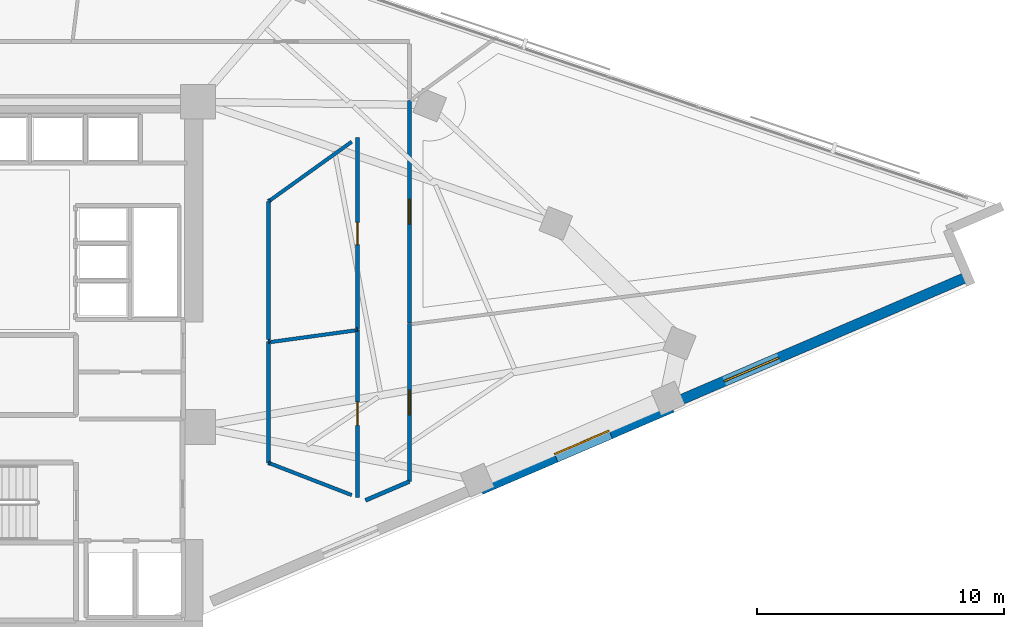
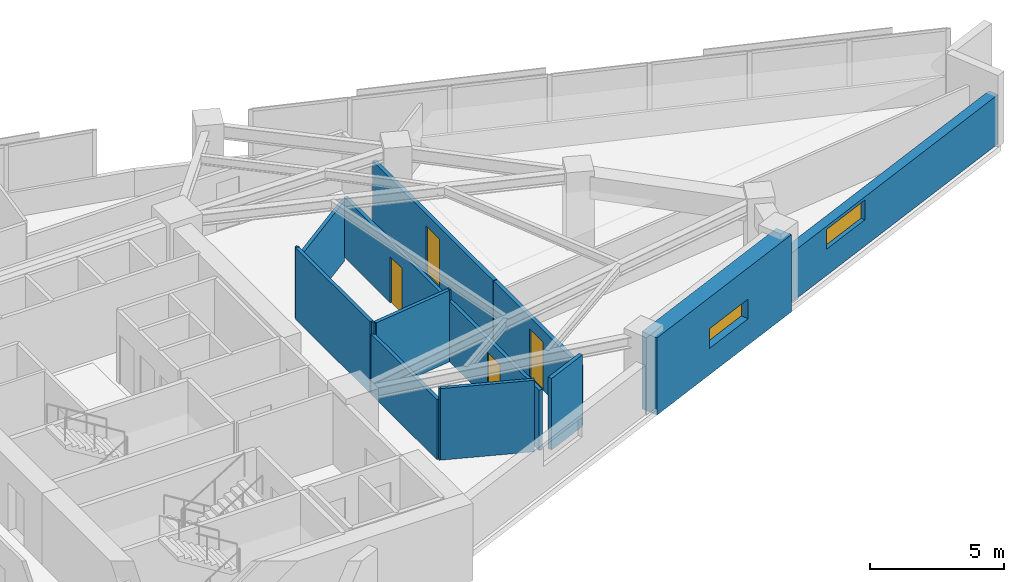
# One storey, part 11 of 14: 16 walls, 4 doors, 2 windows, 6 openings.
"""IFC4 building model written with IfcOpenShell, lengths in metres."""

from ifc_helpers import new_model, si_unit, direction, frame, frame_2d, origin, place, context, subcontext, project, spatial, rectangle, extrude, material, layer, layer_set, type_object, element, fill, save


model = new_model("IFC4")

# Units and contexts
model_context = context("Model", 3, precision=1e-05, world=origin(), true_north=direction((0.0, 1.0)))
body_context = subcontext(model_context, "Body", "Model", "MODEL_VIEW")
ifc_project = project(units=[si_unit("LENGTHUNIT", "METRE"), si_unit("AREAUNIT", "SQUARE_METRE"), si_unit("VOLUMEUNIT", "CUBIC_METRE"), si_unit("PLANEANGLEUNIT", "RADIAN"), si_unit("MASSUNIT", "GRAM", prefix="KILO")], contexts=[model_context])

# Site, building, storey
site_placement = place(None, origin())
site = spatial("IfcSite", under=ifc_project, at=site_placement, CompositionType="ELEMENT")
building_placement = place(site_placement, origin())
building = spatial("IfcBuilding", under=site, at=building_placement, Name="Narakoshi Arena Tower", CompositionType="ELEMENT")
storey_placement = place(building_placement, frame((0.0, 0.0, 189.659912109375)))
storey = spatial("IfcBuildingStorey", under=building, at=storey_placement, Name="L51", CompositionType="ELEMENT", Elevation=189.659912109375)

# Wall, opening, door
ifc_material_1 = material(Name="Gypsum plasterboard fire-rated partition")
ifc_layer_1 = layer(ifc_material_1, 0.1650390625)
ifc_layer_set_1 = layer_set([ifc_layer_1], Name="Gypsum plasterboard fire-rated partition")
wall_type_1 = type_object("IfcWallType", Name="WL-CORR-165", PredefinedType="PARTITIONING", material=ifc_layer_set_1)
wall_1_placement = place(storey_placement, frame((94.09619140625, 41.146484375, 0.0), z_axis=(0.0, 0.0, 1.0), x_axis=(0.0, 1.0, 0.0)))
wall_1 = element("IfcWall", 1, at=wall_1_placement, inside=storey, type_object=wall_type_1, Name="L51 Corridor Partition 03-1", PredefinedType="PARTITIONING", context=body_context, shape_type="SweptSolid", body=[
    extrude(rectangle(XDim=6.38720703125, YDim=0.1650390625, at=frame_2d((3.193603515625, 0.0))), origin(), (0.0, 0.0, 1.0), 2.7451171875),
])
opening_1_placement = place(wall_1_placement, frame((2.693603515625, 0.0, 0.0)))
opening_1 = element("IfcOpeningElement", 2, at=opening_1_placement, cuts=wall_1, Name="Opening D-06", PredefinedType="OPENING", context=body_context, shape_type="SweptSolid", body=[
    extrude(rectangle(XDim=1.0, YDim=2.199951171875, at=frame_2d((0.5, 1.10009765625))), frame((0.0, 0.092529296875, 0.0), z_axis=(0.0, -1.0, 0.0), x_axis=(1.0, 0.0, 0.0)), (0.0, 0.0, 1.0), 0.18505859375),
])
ifc_material_2 = material(Name="Stained oak solid-core timber", Category="wood")
door_type_1 = type_object("IfcDoorType", Name="DR-OFF-1000", OperationType="NOTDEFINED", PredefinedType="DOOR", material=ifc_material_2)
door_1_placement = place(opening_1_placement, frame((1.0, 0.0, 0.0), z_axis=(0.0, 0.0, 1.0), x_axis=(-1.0, 0.0, 0.0)))
door_1 = element("IfcDoor", 3, at=door_1_placement, inside=storey, type_object=door_type_1, Name="DR-L51-016", OperationType="SINGLE_SWING_LEFT", OverallHeight=2.199951171875, OverallWidth=1.0, PredefinedType="DOOR", context=body_context, shape_type="SweptSolid", body=[
    extrude(rectangle(XDim=1.0, YDim=2.199951171875, at=frame_2d((0.5, 1.10009765625))), frame((0.0, 0.02490234375, 0.0), z_axis=(0.0, -1.0, 0.0), x_axis=(1.0, 0.0, 0.0)), (0.0, 0.0, 1.0), 0.050048828125),
])
fill(opening_1, door_1)

# Wall
wall_2_placement = place(storey_placement, frame((92.318603515625, 40.3828125, 0.0), z_axis=(0.0, 0.0, 1.0), x_axis=(0.918798737408, 0.394726335752, 0.0)))
element("IfcWall", 4, at=wall_2_placement, inside=storey, type_object=wall_type_1, Name="L51 Corridor Partition 03-2", PredefinedType="PARTITIONING", context=body_context, shape_type="SweptSolid", body=[
    extrude(rectangle(XDim=1.9345703125, YDim=0.1650390625, at=frame_2d((0.96728515625, 0.0))), origin(), (0.0, 0.0, 1.0), 3.260009765625),
])

# Wall, opening, door
wall_3_placement = place(storey_placement, frame((94.09619140625, 47.55810546875, 0.0), z_axis=(0.0, 0.0, 1.0), x_axis=(0.0, 1.0, 0.0)))
wall_3 = element("IfcWall", 5, at=wall_3_placement, inside=storey, type_object=wall_type_1, Name="L51 Corridor Partition 04-1", PredefinedType="PARTITIONING", context=body_context, shape_type="SweptSolid", body=[
    extrude(rectangle(XDim=8.998291015625, YDim=0.1650390625, at=frame_2d((4.4990234375, 0.0))), origin(), (0.0, 0.0, 1.0), 2.7451171875),
])
opening_2_placement = place(wall_3_placement, frame((3.999267578125, 0.0, 0.0)))
opening_2 = element("IfcOpeningElement", 6, at=opening_2_placement, cuts=wall_3, Name="Opening D-06", PredefinedType="OPENING", context=body_context, shape_type="SweptSolid", body=[
    extrude(rectangle(XDim=1.0, YDim=2.199951171875, at=frame_2d((0.5, 1.10009765625))), frame((0.0, 0.092529296875, 0.0), z_axis=(0.0, -1.0, 0.0), x_axis=(1.0, 0.0, 0.0)), (0.0, 0.0, 1.0), 0.18505859375),
])
door_2_placement = place(opening_2_placement, frame((1.0, 0.0, 0.0), z_axis=(0.0, 0.0, 1.0), x_axis=(-1.0, 0.0, 0.0)))
door_2 = element("IfcDoor", 7, at=door_2_placement, inside=storey, type_object=door_type_1, Name="DR-L51-017", OperationType="SINGLE_SWING_RIGHT", OverallHeight=2.199951171875, OverallWidth=1.0, PredefinedType="DOOR", context=body_context, shape_type="SweptSolid", body=[
    extrude(rectangle(XDim=1.0, YDim=2.199951171875, at=frame_2d((0.5, 1.10009765625))), frame((0.0, 0.02490234375, 0.0), z_axis=(0.0, -1.0, 0.0), x_axis=(1.0, 0.0, 0.0)), (0.0, 0.0, 1.0), 0.050048828125),
])
fill(opening_2, door_2)

# Wall, opening, window
ifc_material_3 = material(Name="Concrete C60/75", Category="concrete")
ifc_layer_2 = layer(ifc_material_3, 0.699951171875)
ifc_layer_set_2 = layer_set([ifc_layer_2], Name="Concrete C60/75")
wall_type_2 = type_object("IfcWallType", Name="WL-LEG-700", PredefinedType="SHEAR", material=ifc_layer_set_2)
wall_4_placement = place(storey_placement, frame((96.936767578125, 40.951904296875, -0.260009765625), z_axis=(0.0, 0.0, 1.0), x_axis=(0.918782407933, 0.394764343468, 0.0)))
wall_4 = element("IfcWall", 8, at=wall_4_placement, inside=storey, type_object=wall_type_2, Name="L51 Architectural Concrete Structural Wall LEGA-3", PredefinedType="SHEAR", context=body_context, shape_type="SweptSolid", body=[
    extrude(rectangle(XDim=8.401611328125, YDim=0.699951171875, at=frame_2d((4.20068359375, 0.0))), origin(), (0.0, 0.0, 1.0), 3.52001953125),
])
opening_3_placement = place(wall_4_placement, frame((3.2939453125, 0.0, 1.199951171875)))
opening_3 = element("IfcOpeningElement", 9, at=opening_3_placement, cuts=wall_4, Name="Opening WN-01", PredefinedType="OPENING", context=body_context, shape_type="SweptSolid", body=[
    extrude(rectangle(XDim=2.39990234375, YDim=0.89990234375, at=frame_2d((1.199951171875, 0.449951171875))), frame((0.0, 0.35986328125, 0.0), z_axis=(0.0, -1.0, 0.0), x_axis=(1.0, 0.0, 0.0)), (0.0, 0.0, 1.0), 0.719970703125),
])
ifc_material_4 = material(Name="Bronze-tinted low-E laminated glass", Category="glass")
window_type = type_object("IfcWindowType", Name="WIN-SLT-24x09", PartitioningType="SINGLE_PANEL", PredefinedType="WINDOW", material=ifc_material_4)
window_1_placement = place(opening_3_placement, origin())
window_1 = element("IfcWindow", 10, at=window_1_placement, inside=storey, type_object=window_type, Name="L51 LEGA3 Horizontal Slot Window 1", OverallHeight=0.89990234375, OverallWidth=2.39990234375, PartitioningType="SINGLE_PANEL", PredefinedType="WINDOW", context=body_context, shape_type="SweptSolid", body=[
    extrude(rectangle(XDim=2.39990234375, YDim=0.89990234375, at=frame_2d((1.199951171875, 0.449951171875))), frame((0.0, 0.030029296875, 0.0), z_axis=(0.0, -1.0, 0.0), x_axis=(1.0, 0.0, 0.0)), (0.0, 0.0, 1.0), 0.06005859375),
])
fill(opening_3, window_1)

ifc_material_5 = material(Name="Precast concrete C45/55", Category="concrete")
ifc_layer_3 = layer(ifc_material_5, 0.419921875)
ifc_layer_set_3 = layer_set([ifc_layer_3], Name="Precast concrete C45/55")
wall_type_3 = type_object("IfcWallType", Name="WL-POD-420", PredefinedType="SOLIDWALL", material=ifc_layer_set_3)
wall_5_placement = place(storey_placement, frame((104.656005859375, 44.2685546875, 0.0), z_axis=(0.0, 0.0, 1.0), x_axis=(0.918789071809, 0.394748833467, 0.0)))
wall_5 = element("IfcWall", 11, at=wall_5_placement, inside=storey, type_object=wall_type_3, Name="L51 Architectural Concrete Facade Wall LEGA-4", PredefinedType="SOLIDWALL", context=body_context, shape_type="SweptSolid", body=[
    extrude(rectangle(XDim=13.06884765625, YDim=0.419921875, at=frame_2d((6.534423828125, 0.0))), origin(), (0.0, 0.0, 1.0), 2.2451171875),
])
opening_4_placement = place(wall_5_placement, frame((2.362060546875, 0.0, 1.199951171875)))
opening_4 = element("IfcOpeningElement", 12, at=opening_4_placement, cuts=wall_5, Name="Opening WN-01", PredefinedType="OPENING", context=body_context, shape_type="SweptSolid", body=[
    extrude(rectangle(XDim=2.39990234375, YDim=0.89990234375, at=frame_2d((1.199951171875, 0.449951171875))), frame((0.0, 0.219970703125, 0.0), z_axis=(0.0, -1.0, 0.0), x_axis=(1.0, 0.0, 0.0)), (0.0, 0.0, 1.0), 0.43994140625),
])
window_2_placement = place(opening_4_placement, origin())
window_2 = element("IfcWindow", 13, at=window_2_placement, inside=storey, type_object=window_type, Name="L51 LEGA4 Horizontal Slot Window 1", OverallHeight=0.89990234375, OverallWidth=2.39990234375, PartitioningType="SINGLE_PANEL", PredefinedType="WINDOW", context=body_context, shape_type="SweptSolid", body=[
    extrude(rectangle(XDim=2.39990234375, YDim=0.89990234375, at=frame_2d((1.199951171875, 0.449951171875))), frame((0.0, 0.030029296875, 0.0), z_axis=(0.0, -1.0, 0.0), x_axis=(1.0, 0.0, 0.0)), (0.0, 0.0, 1.0), 0.06005859375),
])
fill(opening_4, window_2)

# Wall, opening, door
ifc_material_6 = material(Name="Moisture-resistant cement-board partition")
ifc_layer_4 = layer(ifc_material_6, 0.14501953125)
ifc_layer_set_4 = layer_set([ifc_layer_4], Name="Moisture-resistant cement-board partition")
wall_type_4 = type_object("IfcWallType", Name="WL-WET-145", PredefinedType="PARTITIONING", material=ifc_layer_set_4)
wall_6_placement = place(storey_placement, frame((91.996337890625, 47.2666015625, 0.0), z_axis=(0.0, 0.0, 1.0), x_axis=(0.0, -1.0, 0.0)))
wall_6 = element("IfcWall", 14, at=wall_6_placement, inside=storey, type_object=wall_type_4, Name="L51 Corridor Partition 02-1", PredefinedType="PARTITIONING", context=body_context, shape_type="SweptSolid", body=[
    extrude(rectangle(XDim=6.759033203125, YDim=0.14501953125, at=frame_2d((3.37939453125, 0.0))), origin(), (0.0, 0.0, 1.0), 2.7451171875),
])
opening_5_placement = place(wall_6_placement, frame((2.904541015625, 0.0, 0.0)))
opening_5 = element("IfcOpeningElement", 15, at=opening_5_placement, cuts=wall_6, Name="Opening D-07", PredefinedType="OPENING", context=body_context, shape_type="SweptSolid", body=[
    extrude(rectangle(XDim=0.949951171875, YDim=2.14990234375, at=frame_2d((0.47509765625, 1.074951171875))), frame((0.0, 0.08251953125, 0.0), z_axis=(0.0, -1.0, 0.0), x_axis=(1.0, 0.0, 0.0)), (0.0, 0.0, 1.0), 0.1650390625),
])
door_type_2 = type_object("IfcDoorType", Name="DR-ACC-950", OperationType="NOTDEFINED", PredefinedType="DOOR", material=ifc_material_2)
door_3_placement = place(opening_5_placement, frame((0.949951171875, 0.0, 0.0), z_axis=(0.0, 0.0, 1.0), x_axis=(-1.0, 0.0, 0.0)))
door_3 = element("IfcDoor", 16, at=door_3_placement, inside=storey, type_object=door_type_2, Name="DR-L51-015", OperationType="SINGLE_SWING_RIGHT", OverallHeight=2.14990234375, OverallWidth=0.949951171875, PredefinedType="DOOR", context=body_context, shape_type="SweptSolid", body=[
    extrude(rectangle(XDim=0.949951171875, YDim=2.14990234375, at=frame_2d((0.47509765625, 1.074951171875))), frame((0.0, 0.02490234375, 0.0), z_axis=(0.0, -1.0, 0.0), x_axis=(1.0, 0.0, 0.0)), (0.0, 0.0, 1.0), 0.050048828125),
])
fill(opening_5, door_3)

# Walls
wall_7_placement = place(storey_placement, frame((88.39990234375, 41.89892578125, 0.0), z_axis=(0.0, 0.0, 1.0), x_axis=(0.0, 1.0, 0.0)))
element("IfcWall", 17, at=wall_7_placement, inside=storey, type_object=wall_type_4, Name="L51 Corridor Partition 02-2", PredefinedType="PARTITIONING", context=body_context, shape_type="SweptSolid", body=[
    extrude(rectangle(XDim=4.91015625, YDim=0.14501953125, at=frame_2d((2.455078125, 0.0))), origin(), (0.0, 0.0, 1.0), 2.7451171875),
])
wall_8_placement = place(storey_placement, frame((88.4599609375, 41.875732421875, 0.0), z_axis=(0.0, 0.0, 1.0), x_axis=(-0.932856069012, 0.360249294944, 0.0)))
element("IfcWall", 18, at=wall_8_placement, inside=storey, type_object=wall_type_4, Name="L51 Corridor Partition 02-3", PredefinedType="PARTITIONING", context=body_context, shape_type="SweptSolid", body=[
    extrude(rectangle(XDim=0.064453125, YDim=0.14501953125, at=frame_2d((0.0322265625, 0.0))), origin(), (0.0, 0.0, 1.0), 3.260009765625),
])
wall_9_placement = place(storey_placement, frame((88.39990234375, 46.80908203125, 0.0), z_axis=(0.0, 0.0, 1.0), x_axis=(0.991645307552, 0.128994511551, 0.0)))
element("IfcWall", 19, at=wall_9_placement, inside=storey, type_object=wall_type_4, Name="L51 Corridor Partition 02-4", PredefinedType="PARTITIONING", context=body_context, shape_type="SweptSolid", body=[
    extrude(rectangle(XDim=0.060546875, YDim=0.14501953125, at=frame_2d((0.0302734375, 0.0))), origin(), (0.0, 0.0, 1.0), 3.260009765625),
])
wall_10_placement = place(storey_placement, frame((88.484619140625, 46.784912109375, 0.0), z_axis=(0.0, 0.0, 1.0), x_axis=(0.990719034999, 0.135925691794, 0.0)))
element("IfcWall", 20, at=wall_10_placement, inside=storey, type_object=wall_type_4, Name="L51 Inter-Room Partition 02-05", PredefinedType="PARTITIONING", context=body_context, shape_type="SweptSolid", body=[
    extrude(rectangle(XDim=3.45947265625, YDim=0.14501953125, at=frame_2d((1.729736328125, 0.0))), origin(), (0.0, 0.0, 1.0), 3.260009765625),
])

# Wall, opening, door
wall_11_placement = place(storey_placement, frame((91.996337890625, 55.05029296875, 0.0), z_axis=(0.0, 0.0, 1.0), x_axis=(0.0, -1.0, 0.0)))
wall_11 = element("IfcWall", 21, at=wall_11_placement, inside=storey, type_object=wall_type_4, Name="L51 Corridor Partition 05-1", PredefinedType="PARTITIONING", context=body_context, shape_type="SweptSolid", body=[
    extrude(rectangle(XDim=7.75927734375, YDim=0.14501953125, at=frame_2d((3.879638671875, 0.0))), origin(), (0.0, 0.0, 1.0), 2.7451171875),
])
opening_6_placement = place(wall_11_placement, frame((3.4296875, 0.0, 0.0)))
opening_6 = element("IfcOpeningElement", 22, at=opening_6_placement, cuts=wall_11, Name="Opening D-08", PredefinedType="OPENING", context=body_context, shape_type="SweptSolid", body=[
    extrude(rectangle(XDim=0.89990234375, YDim=2.10009765625, at=frame_2d((0.449951171875, 1.050048828125))), frame((0.0, 0.08251953125, 0.0), z_axis=(0.0, -1.0, 0.0), x_axis=(1.0, 0.0, 0.0)), (0.0, 0.0, 1.0), 0.1650390625),
])
ifc_material_7 = material(Name="Moisture-resistant laminate timber", Category="wood")
door_type_3 = type_object("IfcDoorType", Name="DR-WC-900", OperationType="NOTDEFINED", PredefinedType="DOOR", material=ifc_material_7)
door_4_placement = place(opening_6_placement, frame((0.89990234375, 0.0, 0.0), z_axis=(0.0, 0.0, 1.0), x_axis=(-1.0, 0.0, 0.0)))
door_4 = element("IfcDoor", 23, at=door_4_placement, inside=storey, type_object=door_type_3, Name="DR-L51-018", OperationType="SINGLE_SWING_RIGHT", OverallHeight=2.10009765625, OverallWidth=0.89990234375, PredefinedType="DOOR", context=body_context, shape_type="SweptSolid", body=[
    extrude(rectangle(XDim=0.89990234375, YDim=2.10009765625, at=frame_2d((0.449951171875, 1.050048828125))), frame((0.0, 0.02490234375, 0.0), z_axis=(0.0, -1.0, 0.0), x_axis=(1.0, 0.0, 0.0)), (0.0, 0.0, 1.0), 0.050048828125),
])
fill(opening_6, door_4)

# Walls
wall_12_placement = place(storey_placement, frame((88.39990234375, 46.894287109375, 0.0), z_axis=(0.0, 0.0, 1.0), x_axis=(0.0, 1.0, 0.0)))
element("IfcWall", 24, at=wall_12_placement, inside=storey, type_object=wall_type_4, Name="L51 Corridor Partition 05-2", PredefinedType="PARTITIONING", context=body_context, shape_type="SweptSolid", body=[
    extrude(rectangle(XDim=5.576416015625, YDim=0.14501953125, at=frame_2d((2.7880859375, 0.0))), origin(), (0.0, 0.0, 1.0), 3.260009765625),
])
wall_13_placement = place(storey_placement, frame((88.39990234375, 52.470703125, 0.0), z_axis=(0.0, 0.0, 1.0), x_axis=(0.811722058131, 0.584043919875, 0.0)))
element("IfcWall", 25, at=wall_13_placement, inside=storey, type_object=wall_type_4, Name="L51 Corridor Partition 05-3", PredefinedType="PARTITIONING", context=body_context, shape_type="SweptSolid", body=[
    extrude(rectangle(XDim=0.073974609375, YDim=0.14501953125, at=frame_2d((0.037109375, 0.0))), origin(), (0.0, 0.0, 1.0), 3.260009765625),
])
wall_14_placement = place(storey_placement, frame((91.996337890625, 47.291015625, 0.0), z_axis=(0.0, 0.0, 1.0), x_axis=(-0.991645307552, -0.128994511551, 0.0)))
element("IfcWall", 26, at=wall_14_placement, inside=storey, type_object=wall_type_4, Name="L51 Corridor Partition 05-4", PredefinedType="PARTITIONING", context=body_context, shape_type="SweptSolid", body=[
    extrude(rectangle(XDim=0.060546875, YDim=0.14501953125, at=frame_2d((0.0302734375, 0.0))), origin(), (0.0, 0.0, 1.0), 3.260009765625),
])
wall_15_placement = place(storey_placement, frame((91.763916015625, 40.59765625, 0.0), z_axis=(0.0, 0.0, 1.0), x_axis=(-0.932651147958, 0.360779484191, 0.0)))
element("IfcWall", 27, at=wall_15_placement, inside=storey, type_object=wall_type_4, Name="L51 Room Enclosure Partition 02-1", PredefinedType="PARTITIONING", context=body_context, shape_type="SweptSolid", body=[
    extrude(rectangle(XDim=3.54248046875, YDim=0.14501953125, at=frame_2d((1.771240234375, 0.0))), origin(), (0.0, 0.0, 1.0), 3.260009765625),
])
wall_16_placement = place(storey_placement, frame((88.4599609375, 52.513916015625, 0.0), z_axis=(0.0, 0.0, 1.0), x_axis=(0.812608108467, 0.582810485538, 0.0)))
element("IfcWall", 28, at=wall_16_placement, inside=storey, type_object=wall_type_4, Name="L51 Room Enclosure Partition 05-1", PredefinedType="PARTITIONING", context=body_context, shape_type="SweptSolid", body=[
    extrude(rectangle(XDim=4.06591796875, YDim=0.14501953125, at=frame_2d((2.032958984375, 0.0))), origin(), (0.0, 0.0, 1.0), 2.7451171875),
])

save(model, "model.ifc")
